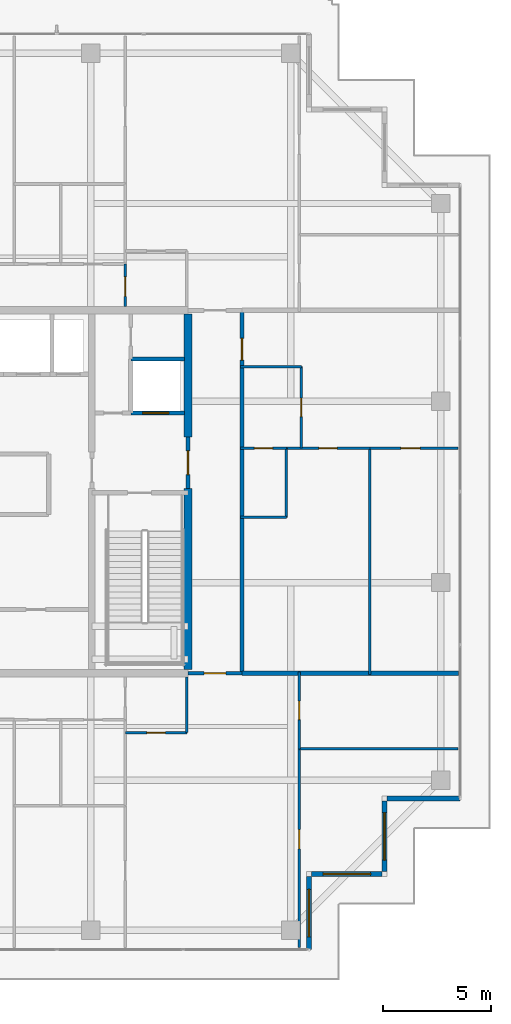
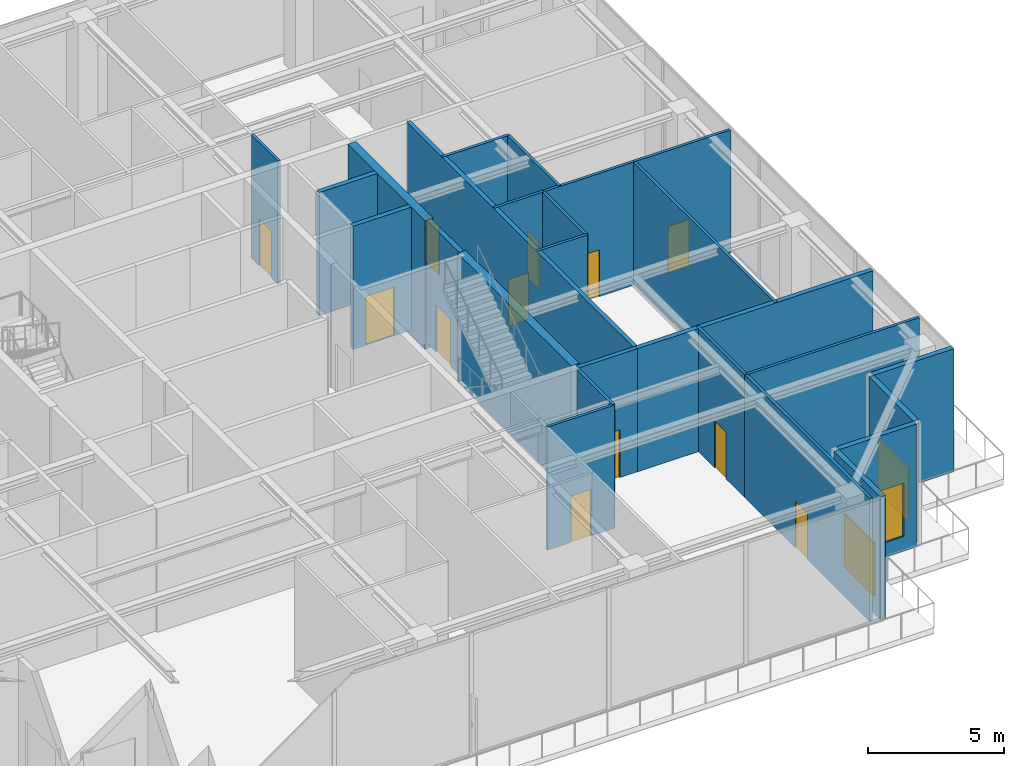
# One storey, part 28 of 38: 26 walls, 12 doors, 3 windows, 15 openings.
"""IFC4 building model written with IfcOpenShell, lengths in metres."""

from ifc_helpers import new_model, si_unit, direction, frame, frame_2d, origin, place, context, subcontext, project, spatial, rectangle, extrude, source, transform, mapped, material, layer, layer_set, type_object, element, fill, save


model = new_model("IFC4")

# Units and contexts
model_context = context("Model", 3, precision=1e-05, world=origin(), true_north=direction((0.0, 1.0)))
body_context = subcontext(model_context, "Body", "Model", "MODEL_VIEW")
ifc_project = project(units=[si_unit("LENGTHUNIT", "METRE"), si_unit("AREAUNIT", "SQUARE_METRE"), si_unit("VOLUMEUNIT", "CUBIC_METRE"), si_unit("PLANEANGLEUNIT", "RADIAN"), si_unit("MASSUNIT", "GRAM", prefix="KILO")], contexts=[model_context])

# Site, building, storey
site_placement = place(None, origin())
site = spatial("IfcSite", under=ifc_project, at=site_placement, CompositionType="ELEMENT")
building_placement = place(site_placement, origin())
building = spatial("IfcBuilding", under=site, at=building_placement, Name="Serunith Strait Residences", CompositionType="ELEMENT")
storey_placement = place(building_placement, frame((0.0, 0.0, 353.85009765625)))
storey = spatial("IfcBuildingStorey", under=building, at=storey_placement, Name="L87", CompositionType="ELEMENT", Elevation=353.85009765625)

# Wall, opening, window
ifc_material_1 = material(Name="Pale-Champagne Aluminium Insulated Panel", Category="aluminium")
ifc_layer_1 = layer(ifc_material_1, 0.219970703125, Name="Pale-Champagne Aluminium Insulated Panel")
ifc_layer_set_1 = layer_set([ifc_layer_1], Name="Pale-Champagne Aluminium Insulated Panel")
wall_type_1 = type_object("IfcWallType", Name="EW-ALUM-220", PredefinedType="ELEMENTEDWALL", material=ifc_layer_set_1)
wall_1_placement = place(storey_placement, frame((47.0, 4.0, 0.0), z_axis=(0.0, 0.0, 1.0), x_axis=(0.0, 1.0, 0.0)))
wall_1 = element("IfcWall", 1, at=wall_1_placement, inside=storey, type_object=wall_type_1, Name="L87 Girih Serrated Corner Wall 02", PredefinedType="ELEMENTEDWALL", context=body_context, shape_type="SweptSolid", body=[
    extrude(rectangle(XDim=3.389892578125, YDim=0.219970703125, at=frame_2d((1.69482421875, 0.0))), origin(), (0.0, 0.0, 1.0), 5.52490234375),
])
opening_1_placement = place(wall_1_placement, frame((0.594970703125, 0.0, 0.64990234375)))
opening_1 = element("IfcOpeningElement", 2, at=opening_1_placement, cuts=wall_1, Name="Opening W-06", PredefinedType="OPENING", context=body_context, shape_type="SweptSolid", body=[
    extrude(rectangle(XDim=2.199951171875, YDim=2.39990234375, at=frame_2d((1.10009765625, 1.199951171875))), frame((0.0, 0.1201171875, 0.0), z_axis=(0.0, -1.0, 0.0), x_axis=(1.0, 0.0, 0.0)), (0.0, 0.0, 1.0), 0.239990234375),
])
ifc_material_2 = material(Name="Crown Penthouse Low-E Operable Window Glass", Category="glass")
window_type = type_object("IfcWindowType", Name="WIN-C6", PartitioningType="TRIPLE_PANEL_VERTICAL", PredefinedType="WINDOW", material=ifc_material_2)
shared_shape_1 = source(origin(), body_context, "Body", "SweptSolid", [
    extrude(rectangle(XDim=2.199951171875, YDim=2.39990234375, at=frame_2d((1.10009765625, 1.199951171875))), frame((0.0, 0.030029296875, 0.0), z_axis=(0.0, -1.0, 0.0), x_axis=(1.0, 0.0, 0.0)), (0.0, 0.0, 1.0), 0.06005859375),
])
window_1_placement = place(opening_1_placement, origin())
window_1 = element("IfcWindow", 3, at=window_1_placement, inside=storey, type_object=window_type, Name="L87 Corner Operable Fritted Window 02", OverallHeight=2.39990234375, OverallWidth=2.199951171875, PartitioningType="SINGLE_PANEL", PredefinedType="WINDOW", context=body_context, shape_type="MappedRepresentation", body=[
    mapped(shared_shape_1, transform((0.0, 0.0, 0.0), scale=1.0)),
])
fill(opening_1, window_1)

wall_2_placement = place(storey_placement, frame((47.110107421875, 7.5, 0.0), z_axis=(0.0, 0.0, 1.0), x_axis=(1.0, 0.0, 0.0)))
wall_2 = element("IfcWall", 4, at=wall_2_placement, inside=storey, type_object=wall_type_1, Name="L87 Girih Serrated Corner Wall 03", PredefinedType="ELEMENTEDWALL", context=body_context, shape_type="SweptSolid", body=[
    extrude(rectangle(XDim=3.27978515625, YDim=0.219970703125, at=frame_2d((1.639892578125, 0.0))), origin(), (0.0, 0.0, 1.0), 5.52490234375),
])
opening_2_placement = place(wall_2_placement, frame((0.5400390625, 0.0, 0.64990234375)))
opening_2 = element("IfcOpeningElement", 5, at=opening_2_placement, cuts=wall_2, Name="Opening W-06", PredefinedType="OPENING", context=body_context, shape_type="SweptSolid", body=[
    extrude(rectangle(XDim=2.199951171875, YDim=2.39990234375, at=frame_2d((1.10009765625, 1.199951171875))), frame((0.0, 0.1201171875, 0.0), z_axis=(0.0, -1.0, 0.0), x_axis=(1.0, 0.0, 0.0)), (0.0, 0.0, 1.0), 0.239990234375),
])
window_2_placement = place(opening_2_placement, origin())
window_2 = element("IfcWindow", 6, at=window_2_placement, inside=storey, type_object=window_type, Name="L87 Corner Operable Fritted Window 03", OverallHeight=2.39990234375, OverallWidth=2.199951171875, PartitioningType="SINGLE_PANEL", PredefinedType="WINDOW", context=body_context, shape_type="MappedRepresentation", body=[
    mapped(shared_shape_1, transform((0.0, 0.0, 0.0), scale=1.0)),
])
fill(opening_2, window_2)

wall_3_placement = place(storey_placement, frame((50.5, 7.610107421875, 0.0), z_axis=(0.0, 0.0, 1.0), x_axis=(0.0, 1.0, 0.0)))
wall_3 = element("IfcWall", 7, at=wall_3_placement, inside=storey, type_object=wall_type_1, Name="L87 Girih Serrated Corner Wall 04", PredefinedType="ELEMENTEDWALL", context=body_context, shape_type="SweptSolid", body=[
    extrude(rectangle(XDim=3.27978515625, YDim=0.219970703125, at=frame_2d((1.639892578125, 0.0))), origin(), (0.0, 0.0, 1.0), 5.52490234375),
])
opening_3_placement = place(wall_3_placement, frame((0.5400390625, 0.0, 0.64990234375)))
opening_3 = element("IfcOpeningElement", 8, at=opening_3_placement, cuts=wall_3, Name="Opening W-06", PredefinedType="OPENING", context=body_context, shape_type="SweptSolid", body=[
    extrude(rectangle(XDim=2.199951171875, YDim=2.39990234375, at=frame_2d((1.10009765625, 1.199951171875))), frame((0.0, 0.1201171875, 0.0), z_axis=(0.0, -1.0, 0.0), x_axis=(1.0, 0.0, 0.0)), (0.0, 0.0, 1.0), 0.239990234375),
])
window_3_placement = place(opening_3_placement, origin())
window_3 = element("IfcWindow", 9, at=window_3_placement, inside=storey, type_object=window_type, Name="L87 Corner Operable Fritted Window 04", OverallHeight=2.39990234375, OverallWidth=2.199951171875, PartitioningType="SINGLE_PANEL", PredefinedType="WINDOW", context=body_context, shape_type="MappedRepresentation", body=[
    mapped(shared_shape_1, transform((0.0, 0.0, 0.0), scale=1.0)),
])
fill(opening_3, window_3)

# Wall
wall_4_placement = place(storey_placement, frame((50.610107421875, 11.0, 0.0), z_axis=(0.0, 0.0, 1.0), x_axis=(1.0, 0.0, 0.0)))
element("IfcWall", 10, at=wall_4_placement, inside=storey, type_object=wall_type_1, Name="L87 Girih Serrated Corner Wall 05", PredefinedType="ELEMENTEDWALL", context=body_context, shape_type="SweptSolid", body=[
    extrude(rectangle(XDim=3.389892578125, YDim=0.219970703125, at=frame_2d((1.69482421875, 0.0))), origin(), (0.0, 0.0, 1.0), 5.52490234375),
])

# Wall, opening, door
ifc_material_3 = material(Name="Fire-rated acoustic gypsum partition")
ifc_layer_2 = layer(ifc_material_3, 0.179931640625, Name="Fire-rated acoustic gypsum partition")
ifc_layer_set_2 = layer_set([ifc_layer_2], Name="Fire-rated acoustic gypsum partition")
wall_type_2 = type_object("IfcWallType", Name="IW-CORR-180", PredefinedType="PARTITIONING", material=ifc_layer_set_2)
wall_5_placement = place(storey_placement, frame((41.402099609375, 16.800048828125, 0.0), z_axis=(0.0, 0.0, 1.0), x_axis=(1.0, 0.0, 0.0)))
wall_5 = element("IfcWall", 11, at=wall_5_placement, inside=storey, type_object=wall_type_2, Name="L87 Partition Wall 025", PredefinedType="PARTITIONING", context=body_context, shape_type="SweptSolid", body=[
    extrude(rectangle(XDim=2.495849609375, YDim=0.179931640625, at=frame_2d((1.248046875, 0.0))), origin(), (0.0, 0.0, 1.0), 5.539794921875),
])
opening_4_placement = place(wall_5_placement, frame((0.748046875, 0.0, 0.0)))
opening_4 = element("IfcOpeningElement", 12, at=opening_4_placement, cuts=wall_5, Name="Opening D-APT1000", PredefinedType="OPENING", context=body_context, shape_type="SweptSolid", body=[
    extrude(rectangle(XDim=1.0, YDim=2.14990234375, at=frame_2d((0.5, 1.074951171875))), frame((0.0, 0.10009765625, 0.0), z_axis=(0.0, -1.0, 0.0), x_axis=(1.0, 0.0, 0.0)), (0.0, 0.0, 1.0), 0.199951171875),
])
ifc_material_4 = material(Name="Solid timber engineered fire door", Category="wood")
door_type_1 = type_object("IfcDoorType", Name="ID-APT-1000", OperationType="NOTDEFINED", PredefinedType="DOOR", material=ifc_material_4)
shared_shape_2 = source(origin(), body_context, "Body", "SweptSolid", [
    extrude(rectangle(XDim=1.0, YDim=2.14990234375, at=frame_2d((0.5, 1.074951171875))), frame((0.0, 0.02490234375, 0.0), z_axis=(0.0, -1.0, 0.0), x_axis=(1.0, 0.0, 0.0)), (0.0, 0.0, 1.0), 0.050048828125),
])
door_1_placement = place(opening_4_placement, origin())
door_1 = element("IfcDoor", 13, at=door_1_placement, inside=storey, type_object=door_type_1, Name="L87 Unit 01 Entrance Door", OperationType="SINGLE_SWING_LEFT", OverallHeight=2.14990234375, OverallWidth=1.0, PredefinedType="DOOR", context=body_context, shape_type="MappedRepresentation", body=[
    mapped(shared_shape_2, transform((0.0, 0.0, 0.0), scale=1.0)),
])
fill(opening_4, door_1)

wall_6_placement = place(storey_placement, frame((43.89990234375, 16.800048828125, 0.0), z_axis=(0.0, 0.0, 1.0), x_axis=(0.0, 1.0, 0.0)))
wall_6 = element("IfcWall", 14, at=wall_6_placement, inside=storey, type_object=wall_type_2, Name="L87 Partition Wall 027", PredefinedType="PARTITIONING", context=body_context, shape_type="SweptSolid", body=[
    extrude(rectangle(XDim=16.800048828125, YDim=0.179931640625, at=frame_2d((8.39990234375, 0.0))), origin(), (0.0, 0.0, 1.0), 5.539794921875),
])
opening_5_placement = place(wall_6_placement, frame((14.5, 0.0, 0.0)))
opening_5 = element("IfcOpeningElement", 15, at=opening_5_placement, cuts=wall_6, Name="Opening D-APT1000", PredefinedType="OPENING", context=body_context, shape_type="SweptSolid", body=[
    extrude(rectangle(XDim=1.0, YDim=2.14990234375, at=frame_2d((0.5, 1.074951171875))), frame((0.0, 0.10009765625, 0.0), z_axis=(0.0, -1.0, 0.0), x_axis=(1.0, 0.0, 0.0)), (0.0, 0.0, 1.0), 0.199951171875),
])
door_2_placement = place(opening_5_placement, origin())
door_2 = element("IfcDoor", 16, at=door_2_placement, inside=storey, type_object=door_type_1, Name="L87 Unit 04 Entrance Door", OperationType="SINGLE_SWING_LEFT", OverallHeight=2.14990234375, OverallWidth=1.0, PredefinedType="DOOR", context=body_context, shape_type="MappedRepresentation", body=[
    mapped(shared_shape_2, transform((0.0, 0.0, 0.0), scale=1.0)),
])
fill(opening_5, door_2)

ifc_material_5 = material(Name="Lightweight steel-stud gypsum partition", Category="steel")
ifc_layer_3 = layer(ifc_material_5, 0.1201171875, Name="Lightweight steel-stud gypsum partition")
ifc_layer_set_3 = layer_set([ifc_layer_3], Name="Lightweight steel-stud gypsum partition")
wall_type_3 = type_object("IfcWallType", Name="IW-PART-120", PredefinedType="PARTITIONING", material=ifc_layer_set_3)
wall_7_placement = place(storey_placement, frame((38.5, 14.050048828125, 0.0), z_axis=(0.0, 0.0, 1.0), x_axis=(1.0, 0.0, 0.0)))
wall_7 = element("IfcWall", 17, at=wall_7_placement, inside=storey, type_object=wall_type_3, Name="L87 Partition Wall 028", PredefinedType="PARTITIONING", context=body_context, shape_type="SweptSolid", body=[
    extrude(rectangle(XDim=2.85009765625, YDim=0.1201171875, at=frame_2d((1.425048828125, 0.0))), origin(), (0.0, 0.0, 1.0), 5.539794921875),
])
opening_6_placement = place(wall_7_placement, frame((1.0, 0.0, 0.0)))
opening_6 = element("IfcOpeningElement", 18, at=opening_6_placement, cuts=wall_7, Name="Opening D-RM850", PredefinedType="OPENING", context=body_context, shape_type="SweptSolid", body=[
    extrude(rectangle(XDim=0.85009765625, YDim=2.10009765625, at=frame_2d((0.425048828125, 1.050048828125))), frame((0.0, 0.070068359375, 0.0), z_axis=(0.0, -1.0, 0.0), x_axis=(1.0, 0.0, 0.0)), (0.0, 0.0, 1.0), 0.14013671875),
])
ifc_material_6 = material(Name="Engineered timber flush study and kitchen door", Category="wood")
door_type_2 = type_object("IfcDoorType", Name="ID-ROOM-850", OperationType="NOTDEFINED", PredefinedType="DOOR", material=ifc_material_6)
shared_shape_3 = source(origin(), body_context, "Body", "SweptSolid", [
    extrude(rectangle(XDim=0.85009765625, YDim=2.10009765625, at=frame_2d((0.425048828125, 1.050048828125))), frame((0.0, 0.02490234375, 0.0), z_axis=(0.0, -1.0, 0.0), x_axis=(1.0, 0.0, 0.0)), (0.0, 0.0, 1.0), 0.050048828125),
])
door_3_placement = place(opening_6_placement, origin())
door_3 = element("IfcDoor", 19, at=door_3_placement, inside=storey, type_object=door_type_2, Name="L87 Kitchen 8701 Door", OperationType="SINGLE_SWING_RIGHT", OverallHeight=2.10009765625, OverallWidth=0.85009765625, PredefinedType="DOOR", context=body_context, shape_type="MappedRepresentation", body=[
    mapped(shared_shape_3, transform((0.0, 0.0, 0.0), scale=1.0)),
])
fill(opening_6, door_3)

# Wall
wall_8_placement = place(storey_placement, frame((41.35009765625, 14.050048828125, 0.0), z_axis=(0.0, 0.0, 1.0), x_axis=(0.0, 1.0, 0.0)))
element("IfcWall", 20, at=wall_8_placement, inside=storey, type_object=wall_type_3, Name="L87 Partition Wall 029", PredefinedType="PARTITIONING", context=body_context, shape_type="SweptSolid", body=[
    extrude(rectangle(XDim=2.574951171875, YDim=0.1201171875, at=frame_2d((1.28759765625, 0.0))), origin(), (0.0, 0.0, 1.0), 5.539794921875),
])

# Wall, opening, door
wall_9_placement = place(storey_placement, frame((46.550048828125, 4.094970703125, 0.0), z_axis=(0.0, 0.0, 1.0), x_axis=(0.0, 1.0, 0.0)))
wall_9 = element("IfcWall", 21, at=wall_9_placement, inside=storey, type_object=wall_type_3, Name="L87 Partition Wall 045", PredefinedType="PARTITIONING", context=body_context, shape_type="SweptSolid", body=[
    extrude(rectangle(XDim=9.205078125, YDim=0.1201171875, at=frame_2d((4.6025390625, 0.0))), origin(), (0.0, 0.0, 1.0), 5.539794921875),
])
opening_7_placement = place(wall_9_placement, frame((4.568115234375, 0.0, 0.0)))
opening_7 = element("IfcOpeningElement", 22, at=opening_7_placement, cuts=wall_9, Name="Opening D-RM900", PredefinedType="OPENING", context=body_context, shape_type="SweptSolid", body=[
    extrude(rectangle(XDim=0.89990234375, YDim=2.10009765625, at=frame_2d((0.449951171875, 1.050048828125))), frame((0.0, 0.070068359375, 0.0), z_axis=(0.0, -1.0, 0.0), x_axis=(1.0, 0.0, 0.0)), (0.0, 0.0, 1.0), 0.14013671875),
])
ifc_material_7 = material(Name="Engineered timber flush bedroom door", Category="wood")
door_type_3 = type_object("IfcDoorType", Name="ID-ROOM-900", OperationType="NOTDEFINED", PredefinedType="DOOR", material=ifc_material_7)
shared_shape_4 = source(origin(), body_context, "Body", "SweptSolid", [
    extrude(rectangle(XDim=0.89990234375, YDim=2.10009765625, at=frame_2d((0.449951171875, 1.050048828125))), frame((0.0, 0.02490234375, 0.0), z_axis=(0.0, -1.0, 0.0), x_axis=(1.0, 0.0, 0.0)), (0.0, 0.0, 1.0), 0.050048828125),
])
door_4_placement = place(opening_7_placement, origin())
door_4 = element("IfcDoor", 23, at=door_4_placement, inside=storey, type_object=door_type_3, Name="L87 Bedroom 3 8701 Door", OperationType="SINGLE_SWING_RIGHT", OverallHeight=2.10009765625, OverallWidth=0.89990234375, PredefinedType="DOOR", context=body_context, shape_type="MappedRepresentation", body=[
    mapped(shared_shape_4, transform((0.0, 0.0, 0.0), scale=1.0)),
])
fill(opening_7, door_4)

# Wall
wall_10_placement = place(storey_placement, frame((46.550048828125, 13.300048828125, 0.0), z_axis=(0.0, 0.0, 1.0), x_axis=(1.0, 0.0, 0.0)))
element("IfcWall", 24, at=wall_10_placement, inside=storey, type_object=wall_type_3, Name="L87 Partition Wall 046", PredefinedType="PARTITIONING", context=body_context, shape_type="SweptSolid", body=[
    extrude(rectangle(XDim=7.35498046875, YDim=0.1201171875, at=frame_2d((3.677490234375, 0.0))), origin(), (0.0, 0.0, 1.0), 5.539794921875),
])

# Wall, opening, door
wall_11_placement = place(storey_placement, frame((46.550048828125, 13.302001953125, 0.0), z_axis=(0.0, 0.0, 1.0), x_axis=(0.0, 1.0, 0.0)))
wall_11 = element("IfcWall", 25, at=wall_11_placement, inside=storey, type_object=wall_type_3, Name="L87 Partition Wall 047", PredefinedType="PARTITIONING", context=body_context, shape_type="SweptSolid", body=[
    extrude(rectangle(XDim=3.55810546875, YDim=0.1201171875, at=frame_2d((1.779052734375, 0.0))), origin(), (0.0, 0.0, 1.0), 5.539794921875),
])
opening_8_placement = place(wall_11_placement, frame((1.35400390625, 0.0, 0.0)))
opening_8 = element("IfcOpeningElement", 26, at=opening_8_placement, cuts=wall_11, Name="Opening D-RM850", PredefinedType="OPENING", context=body_context, shape_type="SweptSolid", body=[
    extrude(rectangle(XDim=0.85009765625, YDim=2.10009765625, at=frame_2d((0.425048828125, 1.050048828125))), frame((0.0, 0.070068359375, 0.0), z_axis=(0.0, -1.0, 0.0), x_axis=(1.0, 0.0, 0.0)), (0.0, 0.0, 1.0), 0.14013671875),
])
door_5_placement = place(opening_8_placement, origin())
door_5 = element("IfcDoor", 27, at=door_5_placement, inside=storey, type_object=door_type_2, Name="L87 Walk-in Wardrobe 8701 Door", OperationType="SINGLE_SWING_LEFT", OverallHeight=2.10009765625, OverallWidth=0.85009765625, PredefinedType="DOOR", context=body_context, shape_type="MappedRepresentation", body=[
    mapped(shared_shape_3, transform((0.0, 0.0, 0.0), scale=1.0)),
])
fill(opening_8, door_5)

wall_12_placement = place(storey_placement, frame((38.5, 35.75, 0.0), z_axis=(0.0, 0.0, 1.0), x_axis=(0.0, -1.0, 0.0)))
wall_12 = element("IfcWall", 28, at=wall_12_placement, inside=storey, type_object=wall_type_3, Name="L87 Partition Wall 050", PredefinedType="PARTITIONING", context=body_context, shape_type="SweptSolid", body=[
    extrude(rectangle(XDim=1.97509765625, YDim=0.1201171875, at=frame_2d((0.987548828125, 0.0))), origin(), (0.0, 0.0, 1.0), 5.539794921875),
])
opening_9_placement = place(wall_12_placement, frame((0.60107421875, 0.0, 0.0)))
opening_9 = element("IfcOpeningElement", 29, at=opening_9_placement, cuts=wall_12, Name="Opening D-RM900", PredefinedType="OPENING", context=body_context, shape_type="SweptSolid", body=[
    extrude(rectangle(XDim=0.89990234375, YDim=2.10009765625, at=frame_2d((0.449951171875, 1.050048828125))), frame((0.0, 0.070068359375, 0.0), z_axis=(0.0, -1.0, 0.0), x_axis=(1.0, 0.0, 0.0)), (0.0, 0.0, 1.0), 0.14013671875),
])
door_6_placement = place(opening_9_placement, origin())
door_6 = element("IfcDoor", 30, at=door_6_placement, inside=storey, type_object=door_type_3, Name="L87 Hall W 8702 Door", OperationType="SINGLE_SWING_LEFT", OverallHeight=2.10009765625, OverallWidth=0.89990234375, PredefinedType="DOOR", context=body_context, shape_type="MappedRepresentation", body=[
    mapped(shared_shape_4, transform((0.0, 0.0, 0.0), scale=1.0)),
])
fill(opening_9, door_6)

wall_13_placement = place(storey_placement, frame((46.64990234375, 27.219970703125, 0.0), z_axis=(0.0, 0.0, 1.0), x_axis=(0.0, 1.0, 0.0)))
wall_13 = element("IfcWall", 31, at=wall_13_placement, inside=storey, type_object=wall_type_3, Name="L87 Partition Wall 076", PredefinedType="PARTITIONING", context=body_context, shape_type="SweptSolid", body=[
    extrude(rectangle(XDim=3.780029296875, YDim=0.1201171875, at=frame_2d((1.89013671875, 0.0))), origin(), (0.0, 0.0, 1.0), 5.539794921875),
])
opening_10_placement = place(wall_13_placement, frame((1.465087890625, 0.0, 0.0)))
opening_10 = element("IfcOpeningElement", 32, at=opening_10_placement, cuts=wall_13, Name="Opening D-RM850", PredefinedType="OPENING", context=body_context, shape_type="SweptSolid", body=[
    extrude(rectangle(XDim=0.85009765625, YDim=2.10009765625, at=frame_2d((0.425048828125, 1.050048828125))), frame((0.0, 0.070068359375, 0.0), z_axis=(0.0, -1.0, 0.0), x_axis=(1.0, 0.0, 0.0)), (0.0, 0.0, 1.0), 0.14013671875),
])
door_7_placement = place(opening_10_placement, origin())
door_7 = element("IfcDoor", 33, at=door_7_placement, inside=storey, type_object=door_type_2, Name="L87 Kitchen 8704 Door", OperationType="SINGLE_SWING_RIGHT", OverallHeight=2.10009765625, OverallWidth=0.85009765625, PredefinedType="DOOR", context=body_context, shape_type="MappedRepresentation", body=[
    mapped(shared_shape_3, transform((0.0, 0.0, 0.0), scale=1.0)),
])
fill(opening_10, door_7)

# Wall
wall_14_placement = place(storey_placement, frame((46.64990234375, 31.0, 0.0), z_axis=(0.0, 0.0, 1.0), x_axis=(-1.0, 0.0, 0.0)))
element("IfcWall", 34, at=wall_14_placement, inside=storey, type_object=wall_type_3, Name="L87 Partition Wall 077", PredefinedType="PARTITIONING", context=body_context, shape_type="SweptSolid", body=[
    extrude(rectangle(XDim=2.809814453125, YDim=0.1201171875, at=frame_2d((1.40478515625, 0.0))), origin(), (0.0, 0.0, 1.0), 5.539794921875),
])

# Wall, opening, door
wall_15_placement = place(storey_placement, frame((53.905029296875, 27.219970703125, 0.0), z_axis=(0.0, 0.0, 1.0), x_axis=(-1.0, 0.0, 0.0)))
wall_15 = element("IfcWall", 35, at=wall_15_placement, inside=storey, type_object=wall_type_3, Name="L87 Partition Wall 078", PredefinedType="PARTITIONING", context=body_context, shape_type="SweptSolid", body=[
    extrude(rectangle(XDim=4.088134765625, YDim=0.1201171875, at=frame_2d((2.0439453125, 0.0))), origin(), (0.0, 0.0, 1.0), 5.539794921875),
])
opening_11_placement = place(wall_15_placement, frame((1.7529296875, 0.0, 0.0)))
opening_11 = element("IfcOpeningElement", 36, at=opening_11_placement, cuts=wall_15, Name="Opening D-RM900", PredefinedType="OPENING", context=body_context, shape_type="SweptSolid", body=[
    extrude(rectangle(XDim=0.89990234375, YDim=2.10009765625, at=frame_2d((0.449951171875, 1.050048828125))), frame((0.0, 0.070068359375, 0.0), z_axis=(0.0, -1.0, 0.0), x_axis=(1.0, 0.0, 0.0)), (0.0, 0.0, 1.0), 0.14013671875),
])
door_8_placement = place(opening_11_placement, origin())
door_8 = element("IfcDoor", 37, at=door_8_placement, inside=storey, type_object=door_type_3, Name="L87 Master Bedroom 1 8704 Door", OperationType="SINGLE_SWING_LEFT", OverallHeight=2.10009765625, OverallWidth=0.89990234375, PredefinedType="DOOR", context=body_context, shape_type="MappedRepresentation", body=[
    mapped(shared_shape_4, transform((0.0, 0.0, 0.0), scale=1.0)),
])
fill(opening_11, door_8)

# Walls
wall_16_placement = place(storey_placement, frame((49.81689453125, 16.739990234375, 0.0), z_axis=(0.0, 0.0, 1.0), x_axis=(0.0, 1.0, 0.0)))
element("IfcWall", 38, at=wall_16_placement, inside=storey, type_object=wall_type_3, Name="L87 Partition Wall 079", PredefinedType="PARTITIONING", context=body_context, shape_type="SweptSolid", body=[
    extrude(rectangle(XDim=10.47998046875, YDim=0.1201171875, at=frame_2d((5.239990234375, 0.0))), origin(), (0.0, 0.0, 1.0), 5.539794921875),
])
wall_17_placement = place(storey_placement, frame((45.949951171875, 24.02001953125, 0.0), z_axis=(0.0, 0.0, 1.0), x_axis=(0.0, 1.0, 0.0)))
element("IfcWall", 39, at=wall_17_placement, inside=storey, type_object=wall_type_3, Name="L87 Partition Wall 080", PredefinedType="PARTITIONING", context=body_context, shape_type="SweptSolid", body=[
    extrude(rectangle(XDim=3.199951171875, YDim=0.1201171875, at=frame_2d((1.60009765625, 0.0))), origin(), (0.0, 0.0, 1.0), 5.539794921875),
])
wall_18_placement = place(storey_placement, frame((45.949951171875, 24.02001953125, 0.0), z_axis=(0.0, 0.0, 1.0), x_axis=(-1.0, 0.0, 0.0)))
element("IfcWall", 40, at=wall_18_placement, inside=storey, type_object=wall_type_3, Name="L87 Partition Wall 081", PredefinedType="PARTITIONING", context=body_context, shape_type="SweptSolid", body=[
    extrude(rectangle(XDim=2.10986328125, YDim=0.1201171875, at=frame_2d((1.054931640625, 0.0))), origin(), (0.0, 0.0, 1.0), 5.539794921875),
])

# Wall, opening, door
wall_19_placement = place(storey_placement, frame((49.81494140625, 27.219970703125, 0.0), z_axis=(0.0, 0.0, 1.0), x_axis=(-1.0, 0.0, 0.0)))
wall_19 = element("IfcWall", 41, at=wall_19_placement, inside=storey, type_object=wall_type_3, Name="L87 Partition Wall 082", PredefinedType="PARTITIONING", context=body_context, shape_type="SweptSolid", body=[
    extrude(rectangle(XDim=3.864990234375, YDim=0.1201171875, at=frame_2d((1.9326171875, 0.0))), origin(), (0.0, 0.0, 1.0), 5.539794921875),
])
opening_12_placement = place(wall_19_placement, frame((1.507080078125, 0.0, 0.0)))
opening_12 = element("IfcOpeningElement", 42, at=opening_12_placement, cuts=wall_19, Name="Opening D-RM850", PredefinedType="OPENING", context=body_context, shape_type="SweptSolid", body=[
    extrude(rectangle(XDim=0.85009765625, YDim=2.10009765625, at=frame_2d((0.425048828125, 1.050048828125))), frame((0.0, 0.070068359375, 0.0), z_axis=(0.0, -1.0, 0.0), x_axis=(1.0, 0.0, 0.0)), (0.0, 0.0, 1.0), 0.14013671875),
])
door_9_placement = place(opening_12_placement, origin())
door_9 = element("IfcDoor", 43, at=door_9_placement, inside=storey, type_object=door_type_2, Name="L87 Walk-in Wardrobe 8704 Door", OperationType="SINGLE_SWING_RIGHT", OverallHeight=2.10009765625, OverallWidth=0.85009765625, PredefinedType="DOOR", context=body_context, shape_type="MappedRepresentation", body=[
    mapped(shared_shape_3, transform((0.0, 0.0, 0.0), scale=1.0)),
])
fill(opening_12, door_9)

wall_20_placement = place(storey_placement, frame((45.947998046875, 27.219970703125, 0.0), z_axis=(0.0, 0.0, 1.0), x_axis=(-1.0, 0.0, 0.0)))
wall_20 = element("IfcWall", 44, at=wall_20_placement, inside=storey, type_object=wall_type_3, Name="L87 Partition Wall 083", PredefinedType="PARTITIONING", context=body_context, shape_type="SweptSolid", body=[
    extrude(rectangle(XDim=2.10791015625, YDim=0.1201171875, at=frame_2d((1.053955078125, 0.0))), origin(), (0.0, 0.0, 1.0), 5.539794921875),
])
opening_13_placement = place(wall_20_placement, frame((0.62890625, 0.0, 0.0)))
opening_13 = element("IfcOpeningElement", 45, at=opening_13_placement, cuts=wall_20, Name="Opening D-BTH850", PredefinedType="OPENING", context=body_context, shape_type="SweptSolid", body=[
    extrude(rectangle(XDim=0.85009765625, YDim=2.10009765625, at=frame_2d((0.425048828125, 1.050048828125))), frame((0.0, 0.070068359375, 0.0), z_axis=(0.0, -1.0, 0.0), x_axis=(1.0, 0.0, 0.0)), (0.0, 0.0, 1.0), 0.14013671875),
])
ifc_material_8 = material(Name="Moisture-resistant timber bathroom door", Category="wood")
door_type_4 = type_object("IfcDoorType", Name="ID-BATH-850", OperationType="NOTDEFINED", PredefinedType="DOOR", material=ifc_material_8)
door_10_placement = place(opening_13_placement, origin())
door_10 = element("IfcDoor", 46, at=door_10_placement, inside=storey, type_object=door_type_4, Name="L87 Bathroom 8704 Door", OperationType="SINGLE_SWING_LEFT", OverallHeight=2.10009765625, OverallWidth=0.85009765625, PredefinedType="DOOR", context=body_context, shape_type="MappedRepresentation", body=[
    mapped(shared_shape_3, transform((0.0, 0.0, 0.0), scale=1.0)),
])
fill(opening_13, door_10)

# Wall
ifc_material_9 = material(Name="Twin-stud acoustic gypsum board partition")
ifc_layer_4 = layer(ifc_material_9, 0.199951171875, Name="Twin-stud acoustic gypsum board partition")
ifc_layer_set_4 = layer_set([ifc_layer_4], Name="Twin-stud acoustic gypsum board partition")
wall_type_4 = type_object("IfcWallType", Name="IW-PARTY-200", PredefinedType="PARTITIONING", material=ifc_layer_set_4)
wall_21_placement = place(storey_placement, frame((43.89990234375, 16.800048828125, 0.0), z_axis=(0.0, 0.0, 1.0), x_axis=(1.0, 0.0, 0.0)))
element("IfcWall", 47, at=wall_21_placement, inside=storey, type_object=wall_type_4, Name="L87 Partition Wall 019", PredefinedType="PARTITIONING", context=body_context, shape_type="SweptSolid", body=[
    extrude(rectangle(XDim=10.01806640625, YDim=0.199951171875, at=frame_2d((5.009033203125, 0.0))), origin(), (0.0, 0.0, 1.0), 5.539794921875),
])

# Wall, opening, door
ifc_material_10 = material(Name="Autoclaved aerated concrete blockwork", Category="masonry")
ifc_layer_5 = layer(ifc_material_10, 0.199951171875, Name="Autoclaved aerated concrete blockwork")
ifc_layer_set_5 = layer_set([ifc_layer_5], Name="Autoclaved aerated concrete blockwork")
wall_type_5 = type_object("IfcWallType", Name="IW-SHAFT-200", PredefinedType="STANDARD", material=ifc_layer_set_5)
wall_22_placement = place(storey_placement, frame((38.75, 28.85009765625, 0.0), z_axis=(0.0, 0.0, 1.0), x_axis=(1.0, 0.0, 0.0)))
wall_22 = element("IfcWall", 48, at=wall_22_placement, inside=storey, type_object=wall_type_5, Name="L87 FL-2 South Shaft Wall", PredefinedType="STANDARD", context=body_context, shape_type="SweptSolid", body=[
    extrude(rectangle(XDim=2.47509765625, YDim=0.199951171875, at=frame_2d((1.237548828125, 0.0))), origin(), (0.0, 0.0, 1.0), 5.539794921875),
])
opening_14_placement = place(wall_22_placement, frame((0.550048828125, 0.0, 0.0)))
opening_14 = element("IfcOpeningElement", 49, at=opening_14_placement, cuts=wall_22, Name="Opening LD-FF1200", PredefinedType="OPENING", context=body_context, shape_type="SweptSolid", body=[
    extrude(rectangle(XDim=1.199951171875, YDim=2.199951171875, at=frame_2d((0.60009765625, 1.10009765625))), frame((0.0, 0.10986328125, 0.0), z_axis=(0.0, -1.0, 0.0), x_axis=(1.0, 0.0, 0.0)), (0.0, 0.0, 1.0), 0.219970703125),
])
ifc_material_11 = material(Name="Brushed stainless steel landing door", Category="steel")
door_type_5 = type_object("IfcDoorType", Name="LD-FF-1200", OperationType="DOUBLE_DOOR_SLIDING", PredefinedType="DOOR", material=ifc_material_11)
shared_shape_5 = source(origin(), body_context, "Body", "SweptSolid", [
    extrude(rectangle(XDim=1.199951171875, YDim=2.199951171875, at=frame_2d((0.60009765625, 1.10009765625))), frame((0.0, 0.02490234375, 0.0), z_axis=(0.0, -1.0, 0.0), x_axis=(1.0, 0.0, 0.0)), (0.0, 0.0, 1.0), 0.050048828125),
])
door_11_placement = place(opening_14_placement, origin())
door_11 = element("IfcDoor", 50, at=door_11_placement, inside=storey, type_object=door_type_5, Name="L87 FL-2 Landing Door", OperationType="DOUBLE_DOOR_SLIDING", OverallHeight=2.199951171875, OverallWidth=1.199951171875, PredefinedType="DOOR", context=body_context, shape_type="MappedRepresentation", body=[
    mapped(shared_shape_5, transform((0.0, 0.0, 0.0), scale=1.0)),
])
fill(opening_14, door_11)

# Wall
wall_23_placement = place(storey_placement, frame((38.75, 31.35009765625, 0.0), z_axis=(0.0, 0.0, 1.0), x_axis=(1.0, 0.0, 0.0)))
element("IfcWall", 51, at=wall_23_placement, inside=storey, type_object=wall_type_5, Name="L87 Partition Wall 005", PredefinedType="STANDARD", context=body_context, shape_type="SweptSolid", body=[
    extrude(rectangle(XDim=2.47509765625, YDim=0.199951171875, at=frame_2d((1.237548828125, 0.0))), origin(), (0.0, 0.0, 1.0), 5.539794921875),
])

# Wall, opening, door
wall_24_placement = place(storey_placement, frame((41.39990234375, 25.35205078125, 0.0), z_axis=(0.0, 0.0, 1.0), x_axis=(0.0, 1.0, 0.0)))
wall_24 = element("IfcWall", 52, at=wall_24_placement, inside=storey, type_object=wall_type_5, Name="L87 Partition Wall 008", PredefinedType="STANDARD", context=body_context, shape_type="SweptSolid", body=[
    extrude(rectangle(XDim=2.39599609375, YDim=0.199951171875, at=frame_2d((1.197998046875, 0.0))), origin(), (0.0, 0.0, 1.0), 5.539794921875),
])
opening_15_placement = place(wall_24_placement, frame((0.64794921875, 0.0, 0.0)))
opening_15 = element("IfcOpeningElement", 53, at=opening_15_placement, cuts=wall_24, Name="Opening FD-FFL", PredefinedType="OPENING", context=body_context, shape_type="SweptSolid", body=[
    extrude(rectangle(XDim=1.10009765625, YDim=2.14990234375, at=frame_2d((0.550048828125, 1.074951171875))), frame((0.0, 0.10986328125, 0.0), z_axis=(0.0, -1.0, 0.0), x_axis=(1.0, 0.0, 0.0)), (0.0, 0.0, 1.0), 0.219970703125),
])
ifc_material_12 = material(Name="Glazed steel smoke-lobby fire door", Category="steel")
door_type_6 = type_object("IfcDoorType", Name="FD-FFL-1100", OperationType="NOTDEFINED", PredefinedType="DOOR", material=ifc_material_12)
shared_shape_6 = source(origin(), body_context, "Body", "SweptSolid", [
    extrude(rectangle(XDim=1.10009765625, YDim=2.14990234375, at=frame_2d((0.550048828125, 1.074951171875))), frame((0.0, 0.02490234375, 0.0), z_axis=(0.0, -1.0, 0.0), x_axis=(1.0, 0.0, 0.0)), (0.0, 0.0, 1.0), 0.050048828125),
])
door_12_placement = place(opening_15_placement, origin())
door_12 = element("IfcDoor", 54, at=door_12_placement, inside=storey, type_object=door_type_6, Name="L87 FFL-2 Corridor Fire Door", OperationType="SINGLE_SWING_LEFT", OverallHeight=2.14990234375, OverallWidth=1.10009765625, PredefinedType="DOOR", context=body_context, shape_type="MappedRepresentation", body=[
    mapped(shared_shape_6, transform((0.0, 0.0, 0.0), scale=1.0)),
])
fill(opening_15, door_12)

# Walls
ifc_material_13 = material(Name="Concrete C60/75", Category="concrete")
ifc_layer_6 = layer(ifc_material_13, 0.35009765625, Name="Concrete C60/75")
ifc_layer_set_6 = layer_set([ifc_layer_6], Name="Concrete C60/75")
wall_type_6 = type_object("IfcWallType", Name="SW-350-C60", PredefinedType="SHEAR", material=ifc_layer_set_6)
wall_25_placement = place(storey_placement, frame((41.39990234375, 16.97509765625, -0.260009765625), z_axis=(0.0, 0.0, 1.0), x_axis=(0.0, 1.0, 0.0)))
element("IfcWall", 55, at=wall_25_placement, inside=storey, type_object=wall_type_6, Name="L87 Core East Shear Wall South Pier", PredefinedType="SHEAR", context=body_context, shape_type="SweptSolid", body=[
    extrude(rectangle(XDim=8.375, YDim=0.35009765625, at=frame_2d((4.1875, 0.0))), origin(), (0.0, 0.0, 1.0), 5.7978515625),
])
wall_26_placement = place(storey_placement, frame((41.39990234375, 27.75, -0.260009765625), z_axis=(0.0, 0.0, 1.0), x_axis=(0.0, 1.0, 0.0)))
element("IfcWall", 56, at=wall_26_placement, inside=storey, type_object=wall_type_6, Name="L87 Core East Shear Wall North Pier", PredefinedType="SHEAR", context=body_context, shape_type="SweptSolid", body=[
    extrude(rectangle(XDim=5.675048828125, YDim=0.35009765625, at=frame_2d((2.83740234375, 0.0))), origin(), (0.0, 0.0, 1.0), 5.7978515625),
])

save(model, "model.ifc")
